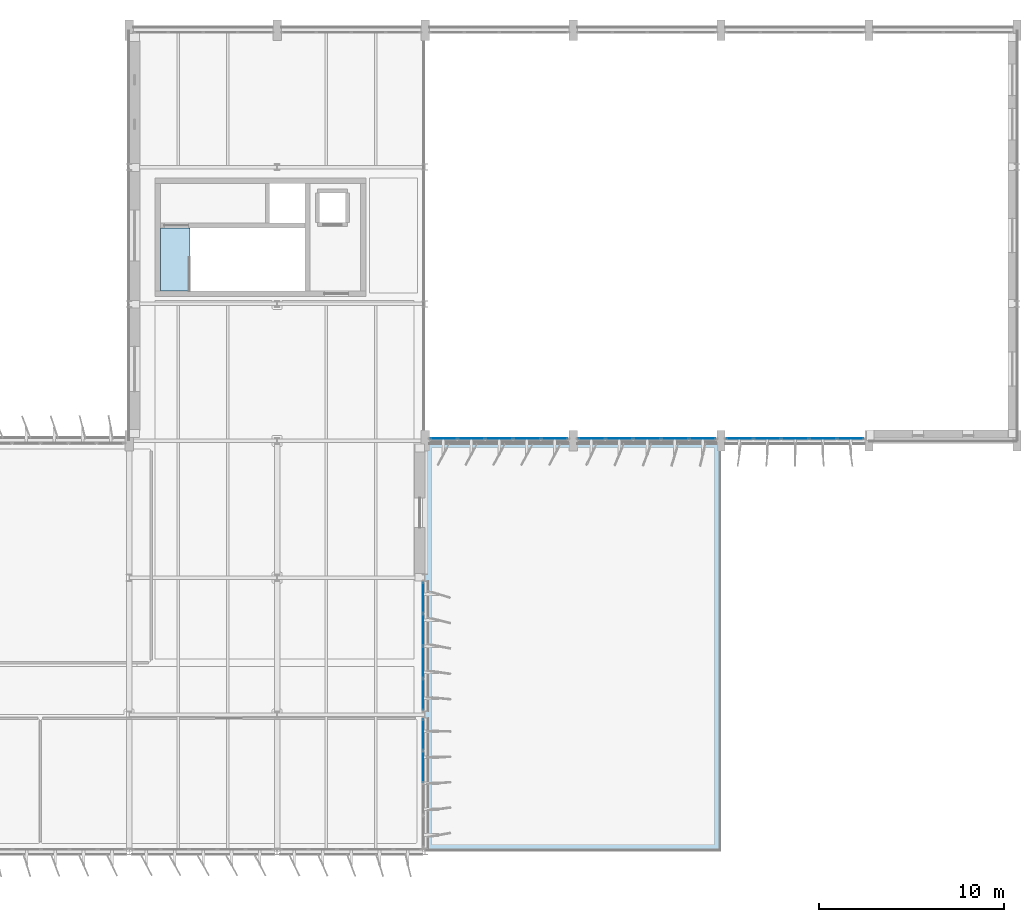
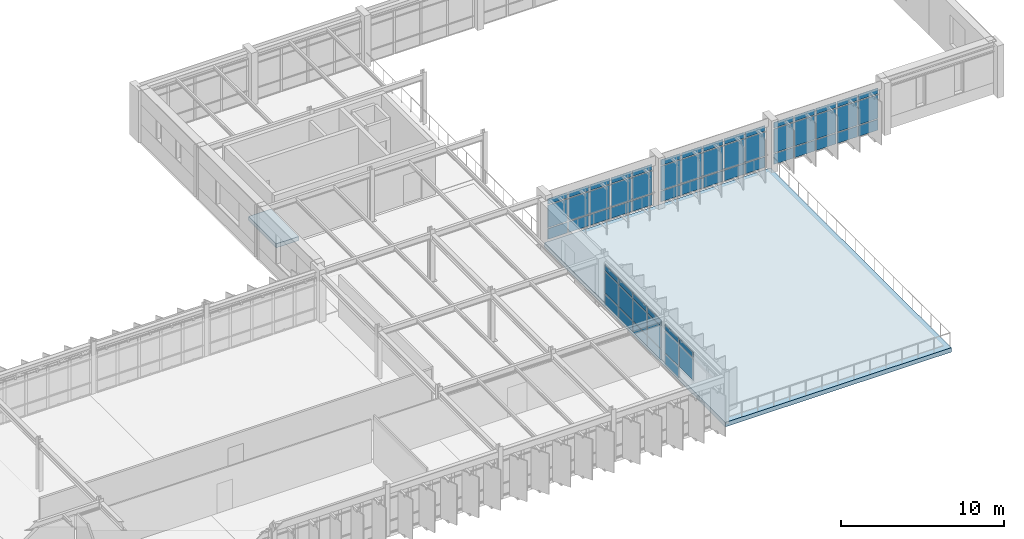
# One storey, part 29 of 45: 62 plates, 2 slabs, 5 elements without a shape of their own.
"""IFC4 building model written with IfcOpenShell, lengths in metres."""

from ifc_helpers import new_model, si_unit, direction, frame, origin, origin_2d, place, context, subcontext, project, spatial, polyline, rectangle, outline, extrude, material, layer, layer_set, type_object, element, aggregate, save


model = new_model("IFC4")

# Units and contexts
model_context = context("Model", 3, precision=1e-05, world=origin(), true_north=direction((0.0, 1.0)))
body_context = subcontext(model_context, "Body", "Model", "MODEL_VIEW")
ifc_project = project(units=[si_unit("LENGTHUNIT", "METRE"), si_unit("AREAUNIT", "SQUARE_METRE"), si_unit("VOLUMEUNIT", "CUBIC_METRE"), si_unit("PLANEANGLEUNIT", "RADIAN"), si_unit("MASSUNIT", "GRAM", prefix="KILO")], contexts=[model_context])

# Site, building, storey
site_placement = place(None, origin())
site = spatial("IfcSite", under=ifc_project, at=site_placement, CompositionType="ELEMENT")
building_placement = place(site_placement, origin())
building = spatial("IfcBuilding", under=site, at=building_placement, Name="Valkorina Park Police Headquarters", CompositionType="ELEMENT")
storey_placement = place(building_placement, frame((0.0, 0.0, 23.300048828125)))
storey = spatial("IfcBuildingStorey", under=building, at=storey_placement, Name="L06", CompositionType="ELEMENT", Elevation=23.300048828125)

# Curtain wall, plates
ifc_material_1 = material(Name="Thermally broken aluminium AW-6060", Category="aluminium")
ifc_layer_1 = layer(ifc_material_1, 0.18994140625)
ifc_layer_set_1 = layer_set([ifc_layer_1], Name="Thermally broken aluminium AW-6060")
curtain_wall_type_1 = type_object("IfcCurtainWallType", Name="CW-V5-7530x3280", PredefinedType="NOTDEFINED", material=ifc_layer_set_1)
curtain_wall_1_placement = place(storey_placement, origin())
curtain_wall_1 = element("IfcCurtainWall", 1, at=curtain_wall_1_placement, inside=storey, type_object=curtain_wall_type_1, Name="L06 Unitised Curtain Wall 116", PredefinedType="NOTDEFINED")
ifc_layer_2 = layer(ifc_material_1, 0.050048828125)
ifc_layer_set_2 = layer_set([ifc_layer_2], Name="Thermally broken aluminium AW-6060")
plate_type_1 = type_object("IfcPlateType", Name="PL-CWP-SPANDREL-50", PredefinedType="CURTAIN_PANEL", material=ifc_layer_set_2)
plate_1_placement = place(storey_placement, frame((119.79443359375, 59.320068359375, 0.070068359375), z_axis=(0.0, 0.0, 1.0), x_axis=(-1.0, 0.0, 0.0)))
plate_1 = element("IfcPlate", 2, at=plate_1_placement, type_object=plate_type_1, Name="CW-V5-753-328 panel 1.1", PredefinedType="CURTAIN_PANEL", context=body_context, shape_type="SweptSolid", body=[
    extrude(rectangle(XDim=1.40087890625, YDim=0.028076171875, at=origin_2d()), origin(), (0.0, 0.0, 1.0), 0.794921875),
])
plate_2_placement = place(storey_placement, frame((118.305908203125, 59.320068359375, 0.070068359375), z_axis=(0.0, 0.0, 1.0), x_axis=(-1.0, 0.0, 0.0)))
plate_2 = element("IfcPlate", 3, at=plate_2_placement, type_object=plate_type_1, Name="CW-V5-753-328 panel 2.1", PredefinedType="CURTAIN_PANEL", context=body_context, shape_type="SweptSolid", body=[
    extrude(rectangle(XDim=1.43603515625, YDim=0.028076171875, at=origin_2d()), origin(), (0.0, 0.0, 1.0), 0.794921875),
])
plate_3_placement = place(storey_placement, frame((116.800048828125, 59.320068359375, 0.070068359375), z_axis=(0.0, 0.0, 1.0), x_axis=(-1.0, 0.0, 0.0)))
plate_3 = element("IfcPlate", 4, at=plate_3_placement, type_object=plate_type_1, Name="CW-V5-753-328 panel 3.1", PredefinedType="CURTAIN_PANEL", context=body_context, shape_type="SweptSolid", body=[
    extrude(rectangle(XDim=1.43603515625, YDim=0.028076171875, at=origin_2d()), origin(), (0.0, 0.0, 1.0), 0.794921875),
])
plate_4_placement = place(storey_placement, frame((115.2939453125, 59.320068359375, 0.070068359375), z_axis=(0.0, 0.0, 1.0), x_axis=(-1.0, 0.0, 0.0)))
plate_4 = element("IfcPlate", 5, at=plate_4_placement, type_object=plate_type_1, Name="CW-V5-753-328 panel 4.1", PredefinedType="CURTAIN_PANEL", context=body_context, shape_type="SweptSolid", body=[
    extrude(rectangle(XDim=1.43603515625, YDim=0.028076171875, at=origin_2d()), origin(), (0.0, 0.0, 1.0), 0.794921875),
])
plate_5_placement = place(storey_placement, frame((113.805419921875, 59.320068359375, 0.070068359375), z_axis=(0.0, 0.0, 1.0), x_axis=(-1.0, 0.0, 0.0)))
plate_5 = element("IfcPlate", 6, at=plate_5_placement, type_object=plate_type_1, Name="CW-V5-753-328 panel 5.1", PredefinedType="CURTAIN_PANEL", context=body_context, shape_type="SweptSolid", body=[
    extrude(rectangle(XDim=1.40087890625, YDim=0.028076171875, at=origin_2d()), origin(), (0.0, 0.0, 1.0), 0.794921875),
])

curtain_wall_2_placement = place(storey_placement, origin())
curtain_wall_2 = element("IfcCurtainWall", 7, at=curtain_wall_2_placement, inside=storey, type_object=curtain_wall_type_1, Name="L06 Unitised Curtain Wall 117", PredefinedType="NOTDEFINED")
plate_6_placement = place(storey_placement, frame((111.79443359375, 59.320068359375, 0.070068359375), z_axis=(0.0, 0.0, 1.0), x_axis=(-1.0, 0.0, 0.0)))
plate_6 = element("IfcPlate", 8, at=plate_6_placement, type_object=plate_type_1, Name="CW-V5-753-328 panel 1.1", PredefinedType="CURTAIN_PANEL", context=body_context, shape_type="SweptSolid", body=[
    extrude(rectangle(XDim=1.40087890625, YDim=0.028076171875, at=origin_2d()), origin(), (0.0, 0.0, 1.0), 0.794921875),
])
plate_7_placement = place(storey_placement, frame((110.305908203125, 59.320068359375, 0.070068359375), z_axis=(0.0, 0.0, 1.0), x_axis=(-1.0, 0.0, 0.0)))
plate_7 = element("IfcPlate", 9, at=plate_7_placement, type_object=plate_type_1, Name="CW-V5-753-328 panel 2.1", PredefinedType="CURTAIN_PANEL", context=body_context, shape_type="SweptSolid", body=[
    extrude(rectangle(XDim=1.43603515625, YDim=0.028076171875, at=origin_2d()), origin(), (0.0, 0.0, 1.0), 0.794921875),
])
plate_8_placement = place(storey_placement, frame((108.800048828125, 59.320068359375, 0.070068359375), z_axis=(0.0, 0.0, 1.0), x_axis=(-1.0, 0.0, 0.0)))
plate_8 = element("IfcPlate", 10, at=plate_8_placement, type_object=plate_type_1, Name="CW-V5-753-328 panel 3.1", PredefinedType="CURTAIN_PANEL", context=body_context, shape_type="SweptSolid", body=[
    extrude(rectangle(XDim=1.43603515625, YDim=0.028076171875, at=origin_2d()), origin(), (0.0, 0.0, 1.0), 0.794921875),
])
plate_9_placement = place(storey_placement, frame((107.2939453125, 59.320068359375, 0.070068359375), z_axis=(0.0, 0.0, 1.0), x_axis=(-1.0, 0.0, 0.0)))
plate_9 = element("IfcPlate", 11, at=plate_9_placement, type_object=plate_type_1, Name="CW-V5-753-328 panel 4.1", PredefinedType="CURTAIN_PANEL", context=body_context, shape_type="SweptSolid", body=[
    extrude(rectangle(XDim=1.43603515625, YDim=0.028076171875, at=origin_2d()), origin(), (0.0, 0.0, 1.0), 0.794921875),
])
plate_10_placement = place(storey_placement, frame((105.805419921875, 59.320068359375, 0.070068359375), z_axis=(0.0, 0.0, 1.0), x_axis=(-1.0, 0.0, 0.0)))
plate_10 = element("IfcPlate", 12, at=plate_10_placement, type_object=plate_type_1, Name="CW-V5-753-328 panel 5.1", PredefinedType="CURTAIN_PANEL", context=body_context, shape_type="SweptSolid", body=[
    extrude(rectangle(XDim=1.40087890625, YDim=0.028076171875, at=origin_2d()), origin(), (0.0, 0.0, 1.0), 0.794921875),
])

ifc_layer_3 = layer(ifc_material_1, 0.18994140625)
ifc_layer_set_3 = layer_set([ifc_layer_3], Name="Thermally broken aluminium AW-6060")
curtain_wall_type_2 = type_object("IfcCurtainWallType", Name="CW-V5-7530x3170", PredefinedType="NOTDEFINED", material=ifc_layer_set_3)
curtain_wall_3_placement = place(storey_placement, origin())
curtain_wall_3 = element("IfcCurtainWall", 13, at=curtain_wall_3_placement, inside=storey, type_object=curtain_wall_type_2, Name="L06 Unitised Curtain Wall 118", PredefinedType="NOTDEFINED")
plate_11_placement = place(storey_placement, frame((103.79443359375, 59.320068359375, 0.070068359375), z_axis=(0.0, 0.0, 1.0), x_axis=(-1.0, 0.0, 0.0)))
plate_11 = element("IfcPlate", 14, at=plate_11_placement, type_object=plate_type_1, Name="CW-V5-753-317 panel 1.1", PredefinedType="CURTAIN_PANEL", context=body_context, shape_type="SweptSolid", body=[
    extrude(rectangle(XDim=1.40087890625, YDim=0.028076171875, at=origin_2d()), origin(), (0.0, 0.0, 1.0), 0.794921875),
])
plate_12_placement = place(storey_placement, frame((102.305908203125, 59.320068359375, 0.070068359375), z_axis=(0.0, 0.0, 1.0), x_axis=(-1.0, 0.0, 0.0)))
plate_12 = element("IfcPlate", 15, at=plate_12_placement, type_object=plate_type_1, Name="CW-V5-753-317 panel 2.1", PredefinedType="CURTAIN_PANEL", context=body_context, shape_type="SweptSolid", body=[
    extrude(rectangle(XDim=1.43603515625, YDim=0.028076171875, at=origin_2d()), origin(), (0.0, 0.0, 1.0), 0.794921875),
])
plate_13_placement = place(storey_placement, frame((100.800048828125, 59.320068359375, 0.070068359375), z_axis=(0.0, 0.0, 1.0), x_axis=(-1.0, 0.0, 0.0)))
plate_13 = element("IfcPlate", 16, at=plate_13_placement, type_object=plate_type_1, Name="CW-V5-753-317 panel 3.1", PredefinedType="CURTAIN_PANEL", context=body_context, shape_type="SweptSolid", body=[
    extrude(rectangle(XDim=1.43603515625, YDim=0.028076171875, at=origin_2d()), origin(), (0.0, 0.0, 1.0), 0.794921875),
])
plate_14_placement = place(storey_placement, frame((99.2939453125, 59.320068359375, 0.070068359375), z_axis=(0.0, 0.0, 1.0), x_axis=(-1.0, 0.0, 0.0)))
plate_14 = element("IfcPlate", 17, at=plate_14_placement, type_object=plate_type_1, Name="CW-V5-753-317 panel 4.1", PredefinedType="CURTAIN_PANEL", context=body_context, shape_type="SweptSolid", body=[
    extrude(rectangle(XDim=1.43603515625, YDim=0.028076171875, at=origin_2d()), origin(), (0.0, 0.0, 1.0), 0.794921875),
])
plate_15_placement = place(storey_placement, frame((97.805419921875, 59.320068359375, 0.070068359375), z_axis=(0.0, 0.0, 1.0), x_axis=(-1.0, 0.0, 0.0)))
plate_15 = element("IfcPlate", 18, at=plate_15_placement, type_object=plate_type_1, Name="CW-V5-753-317 panel 5.1", PredefinedType="CURTAIN_PANEL", context=body_context, shape_type="SweptSolid", body=[
    extrude(rectangle(XDim=1.40087890625, YDim=0.028076171875, at=origin_2d()), origin(), (0.0, 0.0, 1.0), 0.794921875),
])

ifc_layer_4 = layer(ifc_material_1, 0.18994140625)
ifc_layer_set_4 = layer_set([ifc_layer_4], Name="Thermally broken aluminium AW-6060")
curtain_wall_type_3 = type_object("IfcCurtainWallType", Name="CW-V5-7020x3110", PredefinedType="NOTDEFINED", material=ifc_layer_set_4)
curtain_wall_4_placement = place(storey_placement, origin())
curtain_wall_4 = element("IfcCurtainWall", 19, at=curtain_wall_4_placement, inside=storey, type_object=curtain_wall_type_3, Name="L06 Unitised Curtain Wall 119", PredefinedType="NOTDEFINED")
plate_16_placement = place(storey_placement, frame((96.679931640625, 50.715087890625, 0.070068359375), z_axis=(0.0, 0.0, 1.0), x_axis=(0.0, -1.0, 0.0)))
plate_16 = element("IfcPlate", 20, at=plate_16_placement, type_object=plate_type_1, Name="CW-V5-702-311 panel 1.1", PredefinedType="CURTAIN_PANEL", context=body_context, shape_type="SweptSolid", body=[
    extrude(rectangle(XDim=1.64990234375, YDim=0.028076171875, at=origin_2d()), origin(), (0.0, 0.0, 1.0), 0.794921875),
])
plate_17_placement = place(storey_placement, frame((96.679931640625, 48.9775390625, 0.070068359375), z_axis=(0.0, 0.0, 1.0), x_axis=(0.0, -1.0, 0.0)))
plate_17 = element("IfcPlate", 21, at=plate_17_placement, type_object=plate_type_1, Name="CW-V5-702-311 panel 2.1", PredefinedType="CURTAIN_PANEL", context=body_context, shape_type="SweptSolid", body=[
    extrude(rectangle(XDim=1.68505859375, YDim=0.028076171875, at=origin_2d()), origin(), (0.0, 0.0, 1.0), 0.794921875),
])
plate_18_placement = place(storey_placement, frame((96.679931640625, 47.222412109375, 0.070068359375), z_axis=(0.0, 0.0, 1.0), x_axis=(0.0, -1.0, 0.0)))
plate_18 = element("IfcPlate", 22, at=plate_18_placement, type_object=plate_type_1, Name="CW-V5-702-311 panel 3.1", PredefinedType="CURTAIN_PANEL", context=body_context, shape_type="SweptSolid", body=[
    extrude(rectangle(XDim=1.68505859375, YDim=0.028076171875, at=origin_2d()), origin(), (0.0, 0.0, 1.0), 0.794921875),
])
plate_19_placement = place(storey_placement, frame((96.679931640625, 45.485107421875, 0.070068359375), z_axis=(0.0, 0.0, 1.0), x_axis=(0.0, -1.0, 0.0)))
plate_19 = element("IfcPlate", 23, at=plate_19_placement, type_object=plate_type_1, Name="CW-V5-702-311 panel 4.1", PredefinedType="CURTAIN_PANEL", context=body_context, shape_type="SweptSolid", body=[
    extrude(rectangle(XDim=1.64990234375, YDim=0.028076171875, at=origin_2d()), origin(), (0.0, 0.0, 1.0), 0.794921875),
])

# Curtain wall, plate
curtain_wall_5_placement = place(storey_placement, origin())
curtain_wall_5 = element("IfcCurtainWall", 24, at=curtain_wall_5_placement, inside=storey, type_object=curtain_wall_type_3, Name="L06 Unitised Curtain Wall 120", PredefinedType="NOTDEFINED")
plate_20_placement = place(storey_placement, frame((96.679931640625, 43.31494140625, 0.070068359375), z_axis=(0.0, 0.0, 1.0), x_axis=(0.0, -1.0, 0.0)))
plate_20 = element("IfcPlate", 25, at=plate_20_placement, type_object=plate_type_1, Name="CW-V5-702-311 panel 1.1", PredefinedType="CURTAIN_PANEL", context=body_context, shape_type="SweptSolid", body=[
    extrude(rectangle(XDim=1.64990234375, YDim=0.028076171875, at=origin_2d()), origin(), (0.0, 0.0, 1.0), 0.794921875),
])

# Plate
ifc_material_2 = material(Name="Triple low-E insulated glazing", Category="glass")
ifc_layer_5 = layer(ifc_material_2, 0.028076171875)
ifc_layer_set_5 = layer_set([ifc_layer_5], Name="Triple low-E insulated glazing")
plate_type_2 = type_object("IfcPlateType", Name="PL-CWP-VISION-28", PredefinedType="CURTAIN_PANEL", material=ifc_layer_set_5)
plate_21_placement = place(storey_placement, frame((119.79443359375, 59.320068359375, 0.934814453125), z_axis=(0.0, 0.0, 1.0), x_axis=(-1.0, 0.0, 0.0)))
plate_21 = element("IfcPlate", 26, at=plate_21_placement, type_object=plate_type_2, Name="CW-V5-753-328 panel 1.2", PredefinedType="CURTAIN_PANEL", context=body_context, shape_type="SweptSolid", body=[
    extrude(rectangle(XDim=1.40087890625, YDim=0.028076171875, at=origin_2d()), origin(), (0.0, 0.0, 1.0), 1.7900390625),
])

plate_22_placement = place(storey_placement, frame((119.79443359375, 59.320068359375, 2.794921875), z_axis=(0.0, 0.0, 1.0), x_axis=(-1.0, 0.0, 0.0)))
plate_22 = element("IfcPlate", 27, at=plate_22_placement, type_object=plate_type_2, Name="CW-V5-753-328 panel 1.3", PredefinedType="CURTAIN_PANEL", context=body_context, shape_type="SweptSolid", body=[
    extrude(rectangle(XDim=1.40087890625, YDim=0.028076171875, at=origin_2d()), origin(), (0.0, 0.0, 1.0), 0.4150390625),
])

plate_23_placement = place(storey_placement, frame((118.305908203125, 59.320068359375, 0.934814453125), z_axis=(0.0, 0.0, 1.0), x_axis=(-1.0, 0.0, 0.0)))
plate_23 = element("IfcPlate", 28, at=plate_23_placement, type_object=plate_type_2, Name="CW-V5-753-328 panel 2.2", PredefinedType="CURTAIN_PANEL", context=body_context, shape_type="SweptSolid", body=[
    extrude(rectangle(XDim=1.43603515625, YDim=0.028076171875, at=origin_2d()), origin(), (0.0, 0.0, 1.0), 1.7900390625),
])

plate_24_placement = place(storey_placement, frame((118.305908203125, 59.320068359375, 2.794921875), z_axis=(0.0, 0.0, 1.0), x_axis=(-1.0, 0.0, 0.0)))
plate_24 = element("IfcPlate", 29, at=plate_24_placement, type_object=plate_type_2, Name="CW-V5-753-328 panel 2.3", PredefinedType="CURTAIN_PANEL", context=body_context, shape_type="SweptSolid", body=[
    extrude(rectangle(XDim=1.43603515625, YDim=0.028076171875, at=origin_2d()), origin(), (0.0, 0.0, 1.0), 0.4150390625),
])

plate_25_placement = place(storey_placement, frame((116.800048828125, 59.320068359375, 0.934814453125), z_axis=(0.0, 0.0, 1.0), x_axis=(-1.0, 0.0, 0.0)))
plate_25 = element("IfcPlate", 30, at=plate_25_placement, type_object=plate_type_2, Name="CW-V5-753-328 panel 3.2", PredefinedType="CURTAIN_PANEL", context=body_context, shape_type="SweptSolid", body=[
    extrude(rectangle(XDim=1.43603515625, YDim=0.028076171875, at=origin_2d()), origin(), (0.0, 0.0, 1.0), 1.7900390625),
])

plate_26_placement = place(storey_placement, frame((116.800048828125, 59.320068359375, 2.794921875), z_axis=(0.0, 0.0, 1.0), x_axis=(-1.0, 0.0, 0.0)))
plate_26 = element("IfcPlate", 31, at=plate_26_placement, type_object=plate_type_2, Name="CW-V5-753-328 panel 3.3", PredefinedType="CURTAIN_PANEL", context=body_context, shape_type="SweptSolid", body=[
    extrude(rectangle(XDim=1.43603515625, YDim=0.028076171875, at=origin_2d()), origin(), (0.0, 0.0, 1.0), 0.4150390625),
])

plate_27_placement = place(storey_placement, frame((115.2939453125, 59.320068359375, 0.934814453125), z_axis=(0.0, 0.0, 1.0), x_axis=(-1.0, 0.0, 0.0)))
plate_27 = element("IfcPlate", 32, at=plate_27_placement, type_object=plate_type_2, Name="CW-V5-753-328 panel 4.2", PredefinedType="CURTAIN_PANEL", context=body_context, shape_type="SweptSolid", body=[
    extrude(rectangle(XDim=1.43603515625, YDim=0.028076171875, at=origin_2d()), origin(), (0.0, 0.0, 1.0), 1.7900390625),
])

plate_28_placement = place(storey_placement, frame((115.2939453125, 59.320068359375, 2.794921875), z_axis=(0.0, 0.0, 1.0), x_axis=(-1.0, 0.0, 0.0)))
plate_28 = element("IfcPlate", 33, at=plate_28_placement, type_object=plate_type_2, Name="CW-V5-753-328 panel 4.3", PredefinedType="CURTAIN_PANEL", context=body_context, shape_type="SweptSolid", body=[
    extrude(rectangle(XDim=1.43603515625, YDim=0.028076171875, at=origin_2d()), origin(), (0.0, 0.0, 1.0), 0.4150390625),
])

plate_29_placement = place(storey_placement, frame((113.805419921875, 59.320068359375, 0.934814453125), z_axis=(0.0, 0.0, 1.0), x_axis=(-1.0, 0.0, 0.0)))
plate_29 = element("IfcPlate", 34, at=plate_29_placement, type_object=plate_type_2, Name="CW-V5-753-328 panel 5.2", PredefinedType="CURTAIN_PANEL", context=body_context, shape_type="SweptSolid", body=[
    extrude(rectangle(XDim=1.40087890625, YDim=0.028076171875, at=origin_2d()), origin(), (0.0, 0.0, 1.0), 1.7900390625),
])

plate_30_placement = place(storey_placement, frame((113.805419921875, 59.320068359375, 2.794921875), z_axis=(0.0, 0.0, 1.0), x_axis=(-1.0, 0.0, 0.0)))
plate_30 = element("IfcPlate", 35, at=plate_30_placement, type_object=plate_type_2, Name="CW-V5-753-328 panel 5.3", PredefinedType="CURTAIN_PANEL", context=body_context, shape_type="SweptSolid", body=[
    extrude(rectangle(XDim=1.40087890625, YDim=0.028076171875, at=origin_2d()), origin(), (0.0, 0.0, 1.0), 0.4150390625),
])

aggregate(curtain_wall_1, [plate_1, plate_21, plate_22, plate_2, plate_23, plate_24, plate_3, plate_25, plate_26, plate_4, plate_27, plate_28, plate_5, plate_29, plate_30])

plate_31_placement = place(storey_placement, frame((111.79443359375, 59.320068359375, 0.934814453125), z_axis=(0.0, 0.0, 1.0), x_axis=(-1.0, 0.0, 0.0)))
plate_31 = element("IfcPlate", 36, at=plate_31_placement, type_object=plate_type_2, Name="CW-V5-753-328 panel 1.2", PredefinedType="CURTAIN_PANEL", context=body_context, shape_type="SweptSolid", body=[
    extrude(rectangle(XDim=1.40087890625, YDim=0.028076171875, at=origin_2d()), origin(), (0.0, 0.0, 1.0), 1.7900390625),
])

plate_32_placement = place(storey_placement, frame((111.79443359375, 59.320068359375, 2.794921875), z_axis=(0.0, 0.0, 1.0), x_axis=(-1.0, 0.0, 0.0)))
plate_32 = element("IfcPlate", 37, at=plate_32_placement, type_object=plate_type_2, Name="CW-V5-753-328 panel 1.3", PredefinedType="CURTAIN_PANEL", context=body_context, shape_type="SweptSolid", body=[
    extrude(rectangle(XDim=1.40087890625, YDim=0.028076171875, at=origin_2d()), origin(), (0.0, 0.0, 1.0), 0.4150390625),
])

plate_33_placement = place(storey_placement, frame((110.305908203125, 59.320068359375, 0.934814453125), z_axis=(0.0, 0.0, 1.0), x_axis=(-1.0, 0.0, 0.0)))
plate_33 = element("IfcPlate", 38, at=plate_33_placement, type_object=plate_type_2, Name="CW-V5-753-328 panel 2.2", PredefinedType="CURTAIN_PANEL", context=body_context, shape_type="SweptSolid", body=[
    extrude(rectangle(XDim=1.43603515625, YDim=0.028076171875, at=origin_2d()), origin(), (0.0, 0.0, 1.0), 1.7900390625),
])

plate_34_placement = place(storey_placement, frame((110.305908203125, 59.320068359375, 2.794921875), z_axis=(0.0, 0.0, 1.0), x_axis=(-1.0, 0.0, 0.0)))
plate_34 = element("IfcPlate", 39, at=plate_34_placement, type_object=plate_type_2, Name="CW-V5-753-328 panel 2.3", PredefinedType="CURTAIN_PANEL", context=body_context, shape_type="SweptSolid", body=[
    extrude(rectangle(XDim=1.43603515625, YDim=0.028076171875, at=origin_2d()), origin(), (0.0, 0.0, 1.0), 0.4150390625),
])

plate_35_placement = place(storey_placement, frame((108.800048828125, 59.320068359375, 0.934814453125), z_axis=(0.0, 0.0, 1.0), x_axis=(-1.0, 0.0, 0.0)))
plate_35 = element("IfcPlate", 40, at=plate_35_placement, type_object=plate_type_2, Name="CW-V5-753-328 panel 3.2", PredefinedType="CURTAIN_PANEL", context=body_context, shape_type="SweptSolid", body=[
    extrude(rectangle(XDim=1.43603515625, YDim=0.028076171875, at=origin_2d()), origin(), (0.0, 0.0, 1.0), 1.7900390625),
])

plate_36_placement = place(storey_placement, frame((108.800048828125, 59.320068359375, 2.794921875), z_axis=(0.0, 0.0, 1.0), x_axis=(-1.0, 0.0, 0.0)))
plate_36 = element("IfcPlate", 41, at=plate_36_placement, type_object=plate_type_2, Name="CW-V5-753-328 panel 3.3", PredefinedType="CURTAIN_PANEL", context=body_context, shape_type="SweptSolid", body=[
    extrude(rectangle(XDim=1.43603515625, YDim=0.028076171875, at=origin_2d()), origin(), (0.0, 0.0, 1.0), 0.4150390625),
])

plate_37_placement = place(storey_placement, frame((107.2939453125, 59.320068359375, 0.934814453125), z_axis=(0.0, 0.0, 1.0), x_axis=(-1.0, 0.0, 0.0)))
plate_37 = element("IfcPlate", 42, at=plate_37_placement, type_object=plate_type_2, Name="CW-V5-753-328 panel 4.2", PredefinedType="CURTAIN_PANEL", context=body_context, shape_type="SweptSolid", body=[
    extrude(rectangle(XDim=1.43603515625, YDim=0.028076171875, at=origin_2d()), origin(), (0.0, 0.0, 1.0), 1.7900390625),
])

plate_38_placement = place(storey_placement, frame((107.2939453125, 59.320068359375, 2.794921875), z_axis=(0.0, 0.0, 1.0), x_axis=(-1.0, 0.0, 0.0)))
plate_38 = element("IfcPlate", 43, at=plate_38_placement, type_object=plate_type_2, Name="CW-V5-753-328 panel 4.3", PredefinedType="CURTAIN_PANEL", context=body_context, shape_type="SweptSolid", body=[
    extrude(rectangle(XDim=1.43603515625, YDim=0.028076171875, at=origin_2d()), origin(), (0.0, 0.0, 1.0), 0.4150390625),
])

plate_39_placement = place(storey_placement, frame((105.805419921875, 59.320068359375, 0.934814453125), z_axis=(0.0, 0.0, 1.0), x_axis=(-1.0, 0.0, 0.0)))
plate_39 = element("IfcPlate", 44, at=plate_39_placement, type_object=plate_type_2, Name="CW-V5-753-328 panel 5.2", PredefinedType="CURTAIN_PANEL", context=body_context, shape_type="SweptSolid", body=[
    extrude(rectangle(XDim=1.40087890625, YDim=0.028076171875, at=origin_2d()), origin(), (0.0, 0.0, 1.0), 1.7900390625),
])

plate_40_placement = place(storey_placement, frame((105.805419921875, 59.320068359375, 2.794921875), z_axis=(0.0, 0.0, 1.0), x_axis=(-1.0, 0.0, 0.0)))
plate_40 = element("IfcPlate", 45, at=plate_40_placement, type_object=plate_type_2, Name="CW-V5-753-328 panel 5.3", PredefinedType="CURTAIN_PANEL", context=body_context, shape_type="SweptSolid", body=[
    extrude(rectangle(XDim=1.40087890625, YDim=0.028076171875, at=origin_2d()), origin(), (0.0, 0.0, 1.0), 0.4150390625),
])

aggregate(curtain_wall_2, [plate_6, plate_31, plate_32, plate_7, plate_33, plate_34, plate_8, plate_35, plate_36, plate_9, plate_37, plate_38, plate_10, plate_39, plate_40])

plate_41_placement = place(storey_placement, frame((103.79443359375, 59.320068359375, 0.93505859375), z_axis=(0.0, 0.0, 1.0), x_axis=(-1.0, 0.0, 0.0)))
plate_41 = element("IfcPlate", 46, at=plate_41_placement, type_object=plate_type_2, Name="CW-V5-753-317 panel 1.2", PredefinedType="CURTAIN_PANEL", context=body_context, shape_type="SweptSolid", body=[
    extrude(rectangle(XDim=1.40087890625, YDim=0.028076171875, at=origin_2d()), origin(), (0.0, 0.0, 1.0), 1.679931640625),
])

plate_42_placement = place(storey_placement, frame((103.79443359375, 59.320068359375, 2.684814453125), z_axis=(0.0, 0.0, 1.0), x_axis=(-1.0, 0.0, 0.0)))
plate_42 = element("IfcPlate", 47, at=plate_42_placement, type_object=plate_type_2, Name="CW-V5-753-317 panel 1.3", PredefinedType="CURTAIN_PANEL", context=body_context, shape_type="SweptSolid", body=[
    extrude(rectangle(XDim=1.40087890625, YDim=0.028076171875, at=origin_2d()), origin(), (0.0, 0.0, 1.0), 0.4150390625),
])

plate_43_placement = place(storey_placement, frame((102.305908203125, 59.320068359375, 0.93505859375), z_axis=(0.0, 0.0, 1.0), x_axis=(-1.0, 0.0, 0.0)))
plate_43 = element("IfcPlate", 48, at=plate_43_placement, type_object=plate_type_2, Name="CW-V5-753-317 panel 2.2", PredefinedType="CURTAIN_PANEL", context=body_context, shape_type="SweptSolid", body=[
    extrude(rectangle(XDim=1.43603515625, YDim=0.028076171875, at=origin_2d()), origin(), (0.0, 0.0, 1.0), 1.679931640625),
])

plate_44_placement = place(storey_placement, frame((102.305908203125, 59.320068359375, 2.684814453125), z_axis=(0.0, 0.0, 1.0), x_axis=(-1.0, 0.0, 0.0)))
plate_44 = element("IfcPlate", 49, at=plate_44_placement, type_object=plate_type_2, Name="CW-V5-753-317 panel 2.3", PredefinedType="CURTAIN_PANEL", context=body_context, shape_type="SweptSolid", body=[
    extrude(rectangle(XDim=1.43603515625, YDim=0.028076171875, at=origin_2d()), origin(), (0.0, 0.0, 1.0), 0.4150390625),
])

plate_45_placement = place(storey_placement, frame((100.800048828125, 59.320068359375, 0.93505859375), z_axis=(0.0, 0.0, 1.0), x_axis=(-1.0, 0.0, 0.0)))
plate_45 = element("IfcPlate", 50, at=plate_45_placement, type_object=plate_type_2, Name="CW-V5-753-317 panel 3.2", PredefinedType="CURTAIN_PANEL", context=body_context, shape_type="SweptSolid", body=[
    extrude(rectangle(XDim=1.43603515625, YDim=0.028076171875, at=origin_2d()), origin(), (0.0, 0.0, 1.0), 1.679931640625),
])

plate_46_placement = place(storey_placement, frame((100.800048828125, 59.320068359375, 2.684814453125), z_axis=(0.0, 0.0, 1.0), x_axis=(-1.0, 0.0, 0.0)))
plate_46 = element("IfcPlate", 51, at=plate_46_placement, type_object=plate_type_2, Name="CW-V5-753-317 panel 3.3", PredefinedType="CURTAIN_PANEL", context=body_context, shape_type="SweptSolid", body=[
    extrude(rectangle(XDim=1.43603515625, YDim=0.028076171875, at=origin_2d()), origin(), (0.0, 0.0, 1.0), 0.4150390625),
])

plate_47_placement = place(storey_placement, frame((99.2939453125, 59.320068359375, 0.93505859375), z_axis=(0.0, 0.0, 1.0), x_axis=(-1.0, 0.0, 0.0)))
plate_47 = element("IfcPlate", 52, at=plate_47_placement, type_object=plate_type_2, Name="CW-V5-753-317 panel 4.2", PredefinedType="CURTAIN_PANEL", context=body_context, shape_type="SweptSolid", body=[
    extrude(rectangle(XDim=1.43603515625, YDim=0.028076171875, at=origin_2d()), origin(), (0.0, 0.0, 1.0), 1.679931640625),
])

plate_48_placement = place(storey_placement, frame((99.2939453125, 59.320068359375, 2.684814453125), z_axis=(0.0, 0.0, 1.0), x_axis=(-1.0, 0.0, 0.0)))
plate_48 = element("IfcPlate", 53, at=plate_48_placement, type_object=plate_type_2, Name="CW-V5-753-317 panel 4.3", PredefinedType="CURTAIN_PANEL", context=body_context, shape_type="SweptSolid", body=[
    extrude(rectangle(XDim=1.43603515625, YDim=0.028076171875, at=origin_2d()), origin(), (0.0, 0.0, 1.0), 0.4150390625),
])

plate_49_placement = place(storey_placement, frame((97.805419921875, 59.320068359375, 0.93505859375), z_axis=(0.0, 0.0, 1.0), x_axis=(-1.0, 0.0, 0.0)))
plate_49 = element("IfcPlate", 54, at=plate_49_placement, type_object=plate_type_2, Name="CW-V5-753-317 panel 5.2", PredefinedType="CURTAIN_PANEL", context=body_context, shape_type="SweptSolid", body=[
    extrude(rectangle(XDim=1.40087890625, YDim=0.028076171875, at=origin_2d()), origin(), (0.0, 0.0, 1.0), 1.679931640625),
])

plate_50_placement = place(storey_placement, frame((97.805419921875, 59.320068359375, 2.684814453125), z_axis=(0.0, 0.0, 1.0), x_axis=(-1.0, 0.0, 0.0)))
plate_50 = element("IfcPlate", 55, at=plate_50_placement, type_object=plate_type_2, Name="CW-V5-753-317 panel 5.3", PredefinedType="CURTAIN_PANEL", context=body_context, shape_type="SweptSolid", body=[
    extrude(rectangle(XDim=1.40087890625, YDim=0.028076171875, at=origin_2d()), origin(), (0.0, 0.0, 1.0), 0.4150390625),
])

aggregate(curtain_wall_3, [plate_11, plate_41, plate_42, plate_12, plate_43, plate_44, plate_13, plate_45, plate_46, plate_14, plate_47, plate_48, plate_15, plate_49, plate_50])

plate_51_placement = place(storey_placement, frame((96.679931640625, 50.715087890625, 0.934814453125), z_axis=(0.0, 0.0, 1.0), x_axis=(0.0, -1.0, 0.0)))
plate_51 = element("IfcPlate", 56, at=plate_51_placement, type_object=plate_type_2, Name="CW-V5-702-311 panel 1.2", PredefinedType="CURTAIN_PANEL", context=body_context, shape_type="SweptSolid", body=[
    extrude(rectangle(XDim=1.64990234375, YDim=0.028076171875, at=origin_2d()), origin(), (0.0, 0.0, 1.0), 1.6201171875),
])

plate_52_placement = place(storey_placement, frame((96.679931640625, 50.715087890625, 2.625), z_axis=(0.0, 0.0, 1.0), x_axis=(0.0, -1.0, 0.0)))
plate_52 = element("IfcPlate", 57, at=plate_52_placement, type_object=plate_type_2, Name="CW-V5-702-311 panel 1.3", PredefinedType="CURTAIN_PANEL", context=body_context, shape_type="SweptSolid", body=[
    extrude(rectangle(XDim=1.64990234375, YDim=0.028076171875, at=origin_2d()), origin(), (0.0, 0.0, 1.0), 0.4150390625),
])

plate_53_placement = place(storey_placement, frame((96.679931640625, 48.9775390625, 0.934814453125), z_axis=(0.0, 0.0, 1.0), x_axis=(0.0, -1.0, 0.0)))
plate_53 = element("IfcPlate", 58, at=plate_53_placement, type_object=plate_type_2, Name="CW-V5-702-311 panel 2.2", PredefinedType="CURTAIN_PANEL", context=body_context, shape_type="SweptSolid", body=[
    extrude(rectangle(XDim=1.68505859375, YDim=0.028076171875, at=origin_2d()), origin(), (0.0, 0.0, 1.0), 1.6201171875),
])

plate_54_placement = place(storey_placement, frame((96.679931640625, 48.9775390625, 2.625), z_axis=(0.0, 0.0, 1.0), x_axis=(0.0, -1.0, 0.0)))
plate_54 = element("IfcPlate", 59, at=plate_54_placement, type_object=plate_type_2, Name="CW-V5-702-311 panel 2.3", PredefinedType="CURTAIN_PANEL", context=body_context, shape_type="SweptSolid", body=[
    extrude(rectangle(XDim=1.68505859375, YDim=0.028076171875, at=origin_2d()), origin(), (0.0, 0.0, 1.0), 0.4150390625),
])

plate_55_placement = place(storey_placement, frame((96.679931640625, 47.222412109375, 0.934814453125), z_axis=(0.0, 0.0, 1.0), x_axis=(0.0, -1.0, 0.0)))
plate_55 = element("IfcPlate", 60, at=plate_55_placement, type_object=plate_type_2, Name="CW-V5-702-311 panel 3.2", PredefinedType="CURTAIN_PANEL", context=body_context, shape_type="SweptSolid", body=[
    extrude(rectangle(XDim=1.68505859375, YDim=0.028076171875, at=origin_2d()), origin(), (0.0, 0.0, 1.0), 1.6201171875),
])

plate_56_placement = place(storey_placement, frame((96.679931640625, 47.222412109375, 2.625), z_axis=(0.0, 0.0, 1.0), x_axis=(0.0, -1.0, 0.0)))
plate_56 = element("IfcPlate", 61, at=plate_56_placement, type_object=plate_type_2, Name="CW-V5-702-311 panel 3.3", PredefinedType="CURTAIN_PANEL", context=body_context, shape_type="SweptSolid", body=[
    extrude(rectangle(XDim=1.68505859375, YDim=0.028076171875, at=origin_2d()), origin(), (0.0, 0.0, 1.0), 0.4150390625),
])

plate_57_placement = place(storey_placement, frame((96.679931640625, 45.485107421875, 0.934814453125), z_axis=(0.0, 0.0, 1.0), x_axis=(0.0, -1.0, 0.0)))
plate_57 = element("IfcPlate", 62, at=plate_57_placement, type_object=plate_type_2, Name="CW-V5-702-311 panel 4.2", PredefinedType="CURTAIN_PANEL", context=body_context, shape_type="SweptSolid", body=[
    extrude(rectangle(XDim=1.64990234375, YDim=0.028076171875, at=origin_2d()), origin(), (0.0, 0.0, 1.0), 1.6201171875),
])

plate_58_placement = place(storey_placement, frame((96.679931640625, 45.485107421875, 2.625), z_axis=(0.0, 0.0, 1.0), x_axis=(0.0, -1.0, 0.0)))
plate_58 = element("IfcPlate", 63, at=plate_58_placement, type_object=plate_type_2, Name="CW-V5-702-311 panel 4.3", PredefinedType="CURTAIN_PANEL", context=body_context, shape_type="SweptSolid", body=[
    extrude(rectangle(XDim=1.64990234375, YDim=0.028076171875, at=origin_2d()), origin(), (0.0, 0.0, 1.0), 0.4150390625),
])

aggregate(curtain_wall_4, [plate_16, plate_51, plate_52, plate_17, plate_53, plate_54, plate_18, plate_55, plate_56, plate_19, plate_57, plate_58])

plate_59_placement = place(storey_placement, frame((96.679931640625, 43.31494140625, 0.934814453125), z_axis=(0.0, 0.0, 1.0), x_axis=(0.0, -1.0, 0.0)))
plate_59 = element("IfcPlate", 64, at=plate_59_placement, type_object=plate_type_2, Name="CW-V5-702-311 panel 1.2", PredefinedType="CURTAIN_PANEL", context=body_context, shape_type="SweptSolid", body=[
    extrude(rectangle(XDim=1.64990234375, YDim=0.028076171875, at=origin_2d()), origin(), (0.0, 0.0, 1.0), 1.6201171875),
])

plate_60_placement = place(storey_placement, frame((96.679931640625, 43.31494140625, 2.625), z_axis=(0.0, 0.0, 1.0), x_axis=(0.0, -1.0, 0.0)))
plate_60 = element("IfcPlate", 65, at=plate_60_placement, type_object=plate_type_2, Name="CW-V5-702-311 panel 1.3", PredefinedType="CURTAIN_PANEL", context=body_context, shape_type="SweptSolid", body=[
    extrude(rectangle(XDim=1.64990234375, YDim=0.028076171875, at=origin_2d()), origin(), (0.0, 0.0, 1.0), 0.4150390625),
])

plate_61_placement = place(storey_placement, frame((96.679931640625, 41.577392578125, 0.934814453125), z_axis=(0.0, 0.0, 1.0), x_axis=(0.0, -1.0, 0.0)))
plate_61 = element("IfcPlate", 66, at=plate_61_placement, type_object=plate_type_2, Name="CW-V5-702-311 panel 2.2", PredefinedType="CURTAIN_PANEL", context=body_context, shape_type="SweptSolid", body=[
    extrude(rectangle(XDim=1.68505859375, YDim=0.028076171875, at=origin_2d()), origin(), (0.0, 0.0, 1.0), 1.6201171875),
])

plate_62_placement = place(storey_placement, frame((96.679931640625, 41.577392578125, 2.625), z_axis=(0.0, 0.0, 1.0), x_axis=(0.0, -1.0, 0.0)))
plate_62 = element("IfcPlate", 67, at=plate_62_placement, type_object=plate_type_2, Name="CW-V5-702-311 panel 2.3", PredefinedType="CURTAIN_PANEL", context=body_context, shape_type="SweptSolid", body=[
    extrude(rectangle(XDim=1.68505859375, YDim=0.028076171875, at=origin_2d()), origin(), (0.0, 0.0, 1.0), 0.4150390625),
])

aggregate(curtain_wall_5, [plate_20, plate_59, plate_60, plate_61, plate_62])

# Slabs
ifc_material_3 = material(Name="Concrete C35/45", Category="concrete")
ifc_layer_6 = layer(ifc_material_3, 0.330078125)
ifc_layer_set_6 = layer_set([ifc_layer_6], Name="Concrete C35/45")
slab_type_1 = type_object("IfcSlabType", Name="SL-TERRACE-EXT-350", PredefinedType="FLOOR", material=ifc_layer_set_6)
slab_1_placement = place(storey_placement, frame((0.0, 0.0, -0.330078125)))
element("IfcSlab", 68, at=slab_1_placement, inside=storey, type_object=slab_type_1, Name="L06 Investigation Stepped Terrace", PredefinedType="FLOOR", context=body_context, shape_type="SweptSolid", body=[
    extrude(outline(polyline([(112.800048828125, 59.19189453125), (96.800048828125, 59.19189453125), (96.800048828125, 37.0), (112.800048828125, 37.0), (112.800048828125, 59.19189453125)])), origin(), (0.0, 0.0, 1.0), 0.330078125),
])
ifc_material_4 = material(Name="Concrete C40/50", Category="concrete")
ifc_layer_7 = layer(ifc_material_4, 0.300048828125)
ifc_layer_set_7 = layer_set([ifc_layer_7], Name="Concrete C40/50")
slab_type_2 = type_object("IfcSlabType", Name="SL-VAULT-300", PredefinedType="FLOOR", material=ifc_layer_set_7)
slab_2_placement = place(storey_placement, frame((0.0, 0.0, -0.300048828125)))
element("IfcSlab", 69, at=slab_2_placement, inside=storey, type_object=slab_type_2, Name="L06 Core C6 Structural Floor Landing Slab", PredefinedType="FLOOR", context=body_context, shape_type="SweptSolid", body=[
    extrude(outline(polyline([(82.5, 67.300048828125), (84.10009765625, 67.300048828125), (84.10009765625, 70.699951171875), (82.5, 70.699951171875), (82.5, 67.300048828125)])), origin(), (0.0, 0.0, 1.0), 0.300048828125),
])

save(model, "model.ifc")
